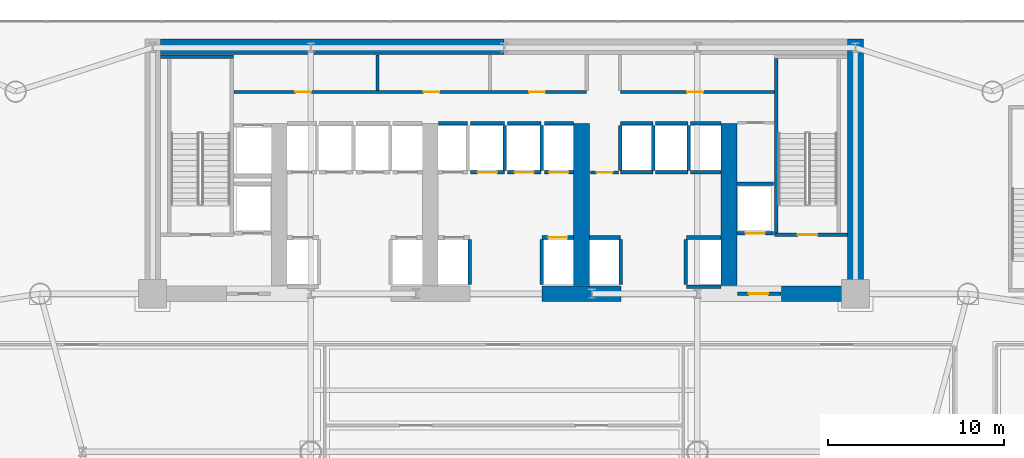
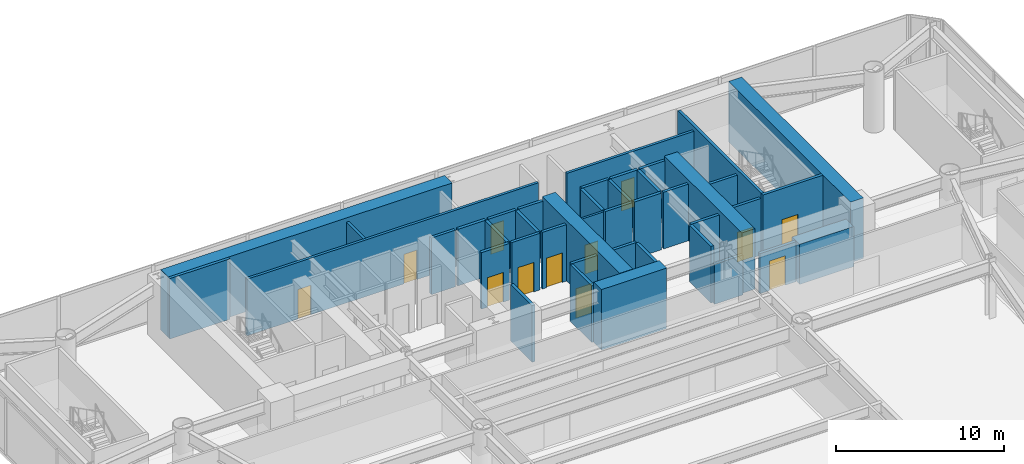
# One storey, part 15 of 24: 42 walls, 12 doors, 12 openings.
"""IFC4 building model written with IfcOpenShell, lengths in metres."""

from ifc_helpers import new_model, si_unit, direction, frame, frame_2d, origin, place, context, subcontext, project, spatial, rectangle, extrude, source, transform, mapped, material, layer, layer_set, type_object, element, fill, save


model = new_model("IFC4")

# Units and contexts
model_context = context("Model", 3, precision=1e-05, world=origin(), true_north=direction((0.0, 1.0)))
body_context = subcontext(model_context, "Body", "Model", "MODEL_VIEW")
ifc_project = project(units=[si_unit("LENGTHUNIT", "METRE"), si_unit("AREAUNIT", "SQUARE_METRE"), si_unit("VOLUMEUNIT", "CUBIC_METRE"), si_unit("PLANEANGLEUNIT", "RADIAN"), si_unit("MASSUNIT", "GRAM", prefix="KILO")], contexts=[model_context])

# Site, building, storey
site_placement = place(None, origin())
site = spatial("IfcSite", under=ifc_project, at=site_placement, CompositionType="ELEMENT")
building_placement = place(site_placement, origin())
building = spatial("IfcBuilding", under=site, at=building_placement, Name="Vaeldorn Concourse Tower", CompositionType="ELEMENT")
storey_placement = place(building_placement, frame((0.0, 0.0, 10.0)))
storey = spatial("IfcBuildingStorey", under=building, at=storey_placement, Name="L02", CompositionType="ELEMENT", Elevation=10.0)

# Walls
ifc_material_1 = material(Name="Concrete C60/75", Category="concrete")
ifc_layer_1 = layer(ifc_material_1, 0.89990234375)
ifc_layer_set_1 = layer_set([ifc_layer_1], Name="Concrete C60/75")
wall_type_1 = type_object("IfcWallType", Name="WL-CORE-900", PredefinedType="SHEAR", material=ifc_layer_set_1)
wall_1_placement = place(storey_placement, frame((14.4541015625, 50.550048828125, 0.0), z_axis=(0.0, 0.0, 1.0), x_axis=(1.0, 0.0, 0.0)))
element("IfcWall", 1, at=wall_1_placement, inside=storey, type_object=wall_type_1, Name="Rear Core Shear Wall L02 N1", PredefinedType="SHEAR", context=body_context, shape_type="SweptSolid", body=[
    extrude(rectangle(XDim=19.5439453125, YDim=0.89990234375, at=frame_2d((9.77197265625, 0.0))), origin(), (0.0, 0.0, 1.0), 4.39990234375),
])
wall_2_placement = place(storey_placement, frame((54.0, 36.5, 0.0), z_axis=(0.0, 0.0, 1.0), x_axis=(0.0, 1.0, 0.0)))
element("IfcWall", 2, at=wall_2_placement, inside=storey, type_object=wall_type_1, Name="Rear Core Shear Wall L02 E1", PredefinedType="SHEAR", context=body_context, shape_type="SweptSolid", body=[
    extrude(rectangle(XDim=14.5, YDim=0.89990234375, at=frame_2d((7.25, 0.0))), origin(), (0.0, 0.0, 1.0), 4.39990234375),
])
wall_3_placement = place(storey_placement, frame((36.14990234375, 36.5, 0.0), z_axis=(0.0, 0.0, 1.0), x_axis=(1.0, 0.0, 0.0)))
element("IfcWall", 3, at=wall_3_placement, inside=storey, type_object=wall_type_1, Name="Rear Core Shear Wall L02 S3", PredefinedType="SHEAR", context=body_context, shape_type="SweptSolid", body=[
    extrude(rectangle(XDim=4.5, YDim=0.89990234375, at=frame_2d((2.25, 0.0))), origin(), (0.0, 0.0, 1.0), 4.39990234375),
])
wall_4_placement = place(storey_placement, frame((49.800048828125, 36.5, 0.0), z_axis=(0.0, 0.0, 1.0), x_axis=(1.0, 0.0, 0.0)))
element("IfcWall", 4, at=wall_4_placement, inside=storey, type_object=wall_type_1, Name="Rear Core Shear Wall L02 S4", PredefinedType="SHEAR", context=body_context, shape_type="SweptSolid", body=[
    extrude(rectangle(XDim=3.72998046875, YDim=0.89990234375, at=frame_2d((1.864990234375, 0.0))), origin(), (0.0, 0.0, 1.0), 2.919921875),
])
for number, where, z_axis, x_axis, name in (
    (5, (38.39990234375, 36.969970703125, 0.0), (0.0, 0.0, 1.0), (0.0, 1.0, 0.0), "Rear Core Shear Wall L02 M3"),
    (6, (46.800048828125, 36.969970703125, 0.0), (0.0, 0.0, 1.0), (0.0, 1.0, 0.0), "Rear Core Shear Wall L02 M4"),
):
    element("IfcWall", number, at=place(storey_placement, frame(where, z_axis=z_axis, x_axis=x_axis)), inside=storey, type_object=wall_type_1, Name=name, PredefinedType="SHEAR", context=body_context, shape_type="SweptSolid", body=[
        extrude(rectangle(XDim=9.22998046875, YDim=0.89990234375, at=frame_2d((4.614990234375, 0.0))), origin(), (0.0, 0.0, 1.0), 4.39990234375),
    ])

# Wall, opening, door
ifc_material_2 = material(Name="Gypsum Board Partition", Category="gypsum")
ifc_layer_2 = layer(ifc_material_2, 0.14990234375)
ifc_layer_set_2 = layer_set([ifc_layer_2], Name="Gypsum Board Partition")
wall_type_2 = type_object("IfcWallType", Name="WL-PART-150", PredefinedType="PARTITIONING", material=ifc_layer_set_2)
wall_5_placement = place(storey_placement, frame((38.919921875, 43.39990234375, 0.0), z_axis=(0.0, 0.0, 1.0), x_axis=(1.0, 0.0, 0.0)))
wall_5 = element("IfcWall", 7, at=wall_5_placement, inside=storey, type_object=wall_type_2, Name="Interior Wall CW-L02-CCLINK", PredefinedType="PARTITIONING", context=body_context, shape_type="SweptSolid", body=[
    extrude(rectangle(XDim=1.60009765625, YDim=0.14990234375, at=frame_2d((0.800048828125, 0.0))), origin(), (0.0, 0.0, 1.0), 4.1201171875),
])
opening_1_placement = place(wall_5_placement, frame((0.35009765625, 0.0, 0.0)))
opening_1 = element("IfcOpeningElement", 8, at=opening_1_placement, cuts=wall_5, Name="Opening D-02", PredefinedType="OPENING", context=body_context, shape_type="SweptSolid", body=[
    extrude(rectangle(XDim=0.89990234375, YDim=2.10009765625, at=frame_2d((0.449951171875, 1.050048828125))), frame((0.0, 0.0849609375, 0.0), z_axis=(0.0, -1.0, 0.0), x_axis=(1.0, 0.0, 0.0)), (0.0, 0.0, 1.0), 0.169921875),
])
ifc_material_3 = material(Name="Fire-Rated Timber Leaf", Category="wood")
door_type_1 = type_object("IfcDoorType", Name="DR-FD30-900", OperationType="NOTDEFINED", PredefinedType="DOOR", material=ifc_material_3)
shared_shape_1 = source(origin(), body_context, "Body", "SweptSolid", [
    extrude(rectangle(XDim=0.89990234375, YDim=2.10009765625, at=frame_2d((0.449951171875, 1.050048828125))), frame((0.0, 0.02490234375, 0.0), z_axis=(0.0, -1.0, 0.0), x_axis=(1.0, 0.0, 0.0)), (0.0, 0.0, 1.0), 0.050048828125),
])
door_1_placement = place(opening_1_placement, origin())
door_1 = element("IfcDoor", 9, at=door_1_placement, inside=storey, type_object=door_type_1, Name="Interior Door DR-L02-CCLINK", OperationType="SINGLE_SWING_LEFT", OverallHeight=2.10009765625, OverallWidth=0.89990234375, PredefinedType="DOOR", context=body_context, shape_type="MappedRepresentation", body=[
    mapped(shared_shape_1, transform((0.0, 0.0, 0.0), scale=1.0)),
])
fill(opening_1, door_1)

# Wall, openings, doors
ifc_layer_3 = layer(ifc_material_2, 0.179931640625)
ifc_layer_set_3 = layer_set([ifc_layer_3], Name="Gypsum Board Partition")
wall_type_3 = type_object("IfcWallType", Name="WL-PLUMB-180", PredefinedType="PLUMBINGWALL", material=ifc_layer_set_3)
wall_6_placement = place(storey_placement, frame((18.6201171875, 47.97998046875, 0.0), z_axis=(0.0, 0.0, 1.0), x_axis=(1.0, 0.0, 0.0)))
wall_6 = element("IfcWall", 10, at=wall_6_placement, inside=storey, type_object=wall_type_3, Name="Interior Wall CW-L02-NS1W", PredefinedType="PLUMBINGWALL", context=body_context, shape_type="SweptSolid", body=[
    extrude(rectangle(XDim=20.059814453125, YDim=0.179931640625, at=frame_2d((10.02978515625, 0.0))), origin(), (0.0, 0.0, 1.0), 4.1201171875),
])
opening_2_placement = place(wall_6_placement, frame((3.5, 0.0, 0.0)))
opening_2 = element("IfcOpeningElement", 11, at=opening_2_placement, cuts=wall_6, Name="Opening D-03", PredefinedType="OPENING", context=body_context, shape_type="SweptSolid", body=[
    extrude(rectangle(XDim=0.89990234375, YDim=2.14990234375, at=frame_2d((0.449951171875, 1.074951171875))), frame((0.0, 0.10009765625, 0.0), z_axis=(0.0, -1.0, 0.0), x_axis=(1.0, 0.0, 0.0)), (0.0, 0.0, 1.0), 0.199951171875),
])
opening_3_placement = place(wall_6_placement, frame((10.800048828125, 0.0, 0.0)))
opening_3 = element("IfcOpeningElement", 12, at=opening_3_placement, cuts=wall_6, Name="Opening D-03", PredefinedType="OPENING", context=body_context, shape_type="SweptSolid", body=[
    extrude(rectangle(XDim=0.89990234375, YDim=2.14990234375, at=frame_2d((0.449951171875, 1.074951171875))), frame((0.0, 0.10009765625, 0.0), z_axis=(0.0, -1.0, 0.0), x_axis=(1.0, 0.0, 0.0)), (0.0, 0.0, 1.0), 0.199951171875),
])
opening_4_placement = place(wall_6_placement, frame((16.800048828125, 0.0, 0.0)))
opening_4 = element("IfcOpeningElement", 13, at=opening_4_placement, cuts=wall_6, Name="Opening D-03", PredefinedType="OPENING", context=body_context, shape_type="SweptSolid", body=[
    extrude(rectangle(XDim=0.89990234375, YDim=2.14990234375, at=frame_2d((0.449951171875, 1.074951171875))), frame((0.0, 0.10009765625, 0.0), z_axis=(0.0, -1.0, 0.0), x_axis=(1.0, 0.0, 0.0)), (0.0, 0.0, 1.0), 0.199951171875),
])
ifc_material_4 = material(Name="Acoustic Bronze-Framed Glass Door", Category="glass")
door_type_2 = type_object("IfcDoorType", Name="DR-INT-900", OperationType="NOTDEFINED", PredefinedType="DOOR", material=ifc_material_4)
shared_shape_2 = source(origin(), body_context, "Body", "SweptSolid", [
    extrude(rectangle(XDim=0.89990234375, YDim=2.14990234375, at=frame_2d((0.449951171875, 1.074951171875))), frame((0.0, 0.02490234375, 0.0), z_axis=(0.0, -1.0, 0.0), x_axis=(1.0, 0.0, 0.0)), (0.0, 0.0, 1.0), 0.050048828125),
])
door_2_placement = place(opening_2_placement, origin())
door_2 = element("IfcDoor", 14, at=door_2_placement, inside=storey, type_object=door_type_2, Name="Interior Door DR-L02-CS1", OperationType="SINGLE_SWING_LEFT", OverallHeight=2.14990234375, OverallWidth=0.89990234375, PredefinedType="DOOR", context=body_context, shape_type="MappedRepresentation", body=[
    mapped(shared_shape_2, transform((0.0, 0.0, 0.0), scale=1.0)),
])
fill(opening_2, door_2)
door_3_placement = place(opening_3_placement, origin())
door_3 = element("IfcDoor", 15, at=door_3_placement, inside=storey, type_object=door_type_2, Name="Interior Door DR-L02-CS2", OperationType="SINGLE_SWING_RIGHT", OverallHeight=2.14990234375, OverallWidth=0.89990234375, PredefinedType="DOOR", context=body_context, shape_type="MappedRepresentation", body=[
    mapped(shared_shape_2, transform((0.0, 0.0, 0.0), scale=1.0)),
])
fill(opening_3, door_3)
door_4_placement = place(opening_4_placement, origin())
door_4 = element("IfcDoor", 16, at=door_4_placement, inside=storey, type_object=door_type_2, Name="Interior Door DR-L02-CS3", OperationType="SINGLE_SWING_LEFT", OverallHeight=2.14990234375, OverallWidth=0.89990234375, PredefinedType="DOOR", context=body_context, shape_type="MappedRepresentation", body=[
    mapped(shared_shape_2, transform((0.0, 0.0, 0.0), scale=1.0)),
])
fill(opening_4, door_4)

# Wall, opening, door
wall_7_placement = place(storey_placement, frame((40.6201171875, 47.97998046875, 0.0), z_axis=(0.0, 0.0, 1.0), x_axis=(1.0, 0.0, 0.0)))
wall_7 = element("IfcWall", 17, at=wall_7_placement, inside=storey, type_object=wall_type_3, Name="Interior Wall CW-L02-NS1E", PredefinedType="PLUMBINGWALL", context=body_context, shape_type="SweptSolid", body=[
    extrude(rectangle(XDim=8.759765625, YDim=0.179931640625, at=frame_2d((4.3798828125, 0.0))), origin(), (0.0, 0.0, 1.0), 4.1201171875),
])
opening_5_placement = place(wall_7_placement, frame((3.800048828125, 0.0, 0.0)))
opening_5 = element("IfcOpeningElement", 18, at=opening_5_placement, cuts=wall_7, Name="Opening D-03", PredefinedType="OPENING", context=body_context, shape_type="SweptSolid", body=[
    extrude(rectangle(XDim=0.89990234375, YDim=2.14990234375, at=frame_2d((0.449951171875, 1.074951171875))), frame((0.0, 0.10009765625, 0.0), z_axis=(0.0, -1.0, 0.0), x_axis=(1.0, 0.0, 0.0)), (0.0, 0.0, 1.0), 0.199951171875),
])
door_5_placement = place(opening_5_placement, origin())
door_5 = element("IfcDoor", 19, at=door_5_placement, inside=storey, type_object=door_type_2, Name="Interior Door DR-L02-CS4", OperationType="SINGLE_SWING_RIGHT", OverallHeight=2.14990234375, OverallWidth=0.89990234375, PredefinedType="DOOR", context=body_context, shape_type="MappedRepresentation", body=[
    mapped(shared_shape_2, transform((0.0, 0.0, 0.0), scale=1.0)),
])
fill(opening_5, door_5)

# Walls
wall_8_placement = place(storey_placement, frame((26.800048828125, 48.06005859375, 0.0), z_axis=(0.0, 0.0, 1.0), x_axis=(0.0, 1.0, 0.0)))
element("IfcWall", 20, at=wall_8_placement, inside=storey, type_object=wall_type_3, Name="Interior Wall CW-L02-NDIV1", PredefinedType="PLUMBINGWALL", context=body_context, shape_type="SweptSolid", body=[
    extrude(rectangle(XDim=2.02001953125, YDim=0.179931640625, at=frame_2d((1.010009765625, 0.0))), origin(), (0.0, 0.0, 1.0), 4.1201171875),
])
ifc_material_5 = material(Name="Concrete C50/60", Category="concrete")
ifc_layer_4 = layer(ifc_material_5, 0.199951171875)
ifc_layer_set_4 = layer_set([ifc_layer_4], Name="Concrete C50/60")
wall_type_4 = type_object("IfcWallType", Name="WL-SHAFT-200", PredefinedType="SOLIDWALL", material=ifc_layer_set_4)
wall_9_placement = place(storey_placement, frame((14.449951171875, 50.0, 0.0), z_axis=(0.0, 0.0, 1.0), x_axis=(1.0, 0.0, 0.0)))
element("IfcWall", 21, at=wall_9_placement, inside=storey, type_object=wall_type_4, Name="Stair Shaft Wall CW-L02-ST-1-N", PredefinedType="SOLIDWALL", context=body_context, shape_type="SweptSolid", body=[
    extrude(rectangle(XDim=4.150146484375, YDim=0.199951171875, at=frame_2d((2.0751953125, 0.0))), origin(), (0.0, 0.0, 1.0), 4.39990234375),
])

# Wall, opening, door
wall_10_placement = place(storey_placement, frame((49.39990234375, 39.85009765625, 0.0), z_axis=(0.0, 0.0, 1.0), x_axis=(1.0, 0.0, 0.0)))
wall_10 = element("IfcWall", 22, at=wall_10_placement, inside=storey, type_object=wall_type_4, Name="Stair Shaft Wall CW-L02-ST-2-S", PredefinedType="SOLIDWALL", context=body_context, shape_type="SweptSolid", body=[
    extrude(rectangle(XDim=4.150146484375, YDim=0.199951171875, at=frame_2d((2.0751953125, 0.0))), origin(), (0.0, 0.0, 1.0), 4.39990234375),
])
opening_6_placement = place(wall_10_placement, frame((1.324951171875, 0.0, 0.0)))
opening_6 = element("IfcOpeningElement", 23, at=opening_6_placement, cuts=wall_10, Name="Opening D-01", PredefinedType="OPENING", context=body_context, shape_type="SweptSolid", body=[
    extrude(rectangle(XDim=1.10009765625, YDim=2.14990234375, at=frame_2d((0.550048828125, 1.074951171875))), frame((0.0, 0.10986328125, 0.0), z_axis=(0.0, -1.0, 0.0), x_axis=(1.0, 0.0, 0.0)), (0.0, 0.0, 1.0), 0.219970703125),
])
ifc_material_6 = material(Name="Fire-Rated Timber and Steel Leaf", Category="steel")
door_type_3 = type_object("IfcDoorType", Name="DR-FD60-1100", OperationType="NOTDEFINED", PredefinedType="DOOR", material=ifc_material_6)
shared_shape_3 = source(origin(), body_context, "Body", "SweptSolid", [
    extrude(rectangle(XDim=1.10009765625, YDim=2.14990234375, at=frame_2d((0.550048828125, 1.074951171875))), frame((0.0, 0.02490234375, 0.0), z_axis=(0.0, -1.0, 0.0), x_axis=(1.0, 0.0, 0.0)), (0.0, 0.0, 1.0), 0.050048828125),
])
door_6_placement = place(opening_6_placement, origin())
door_6 = element("IfcDoor", 24, at=door_6_placement, inside=storey, type_object=door_type_3, Name="Interior Door DR-L02-ST-2", OperationType="SINGLE_SWING_RIGHT", OverallHeight=2.14990234375, OverallWidth=1.10009765625, PredefinedType="DOOR", context=body_context, shape_type="MappedRepresentation", body=[
    mapped(shared_shape_3, transform((0.0, 0.0, 0.0), scale=1.0)),
])
fill(opening_6, door_6)

# Wall
wall_11_placement = place(storey_placement, frame((49.5, 39.9599609375, 0.0), z_axis=(0.0, 0.0, 1.0), x_axis=(0.0, 1.0, 0.0)))
element("IfcWall", 25, at=wall_11_placement, inside=storey, type_object=wall_type_4, Name="Stair Shaft Wall CW-L02-ST-2-W", PredefinedType="SOLIDWALL", context=body_context, shape_type="SweptSolid", body=[
    extrude(rectangle(XDim=9.929931640625, YDim=0.199951171875, at=frame_2d((4.96484375, 0.0))), origin(), (0.0, 0.0, 1.0), 4.39990234375),
])

# Wall, opening, door
wall_12_placement = place(storey_placement, frame((47.280029296875, 36.5, 0.0), z_axis=(0.0, 0.0, 1.0), x_axis=(1.0, 0.0, 0.0)))
wall_12 = element("IfcWall", 26, at=wall_12_placement, inside=storey, type_object=wall_type_4, Name="Interior Wall CW-L02-FF2S", PredefinedType="SOLIDWALL", context=body_context, shape_type="SweptSolid", body=[
    extrude(rectangle(XDim=2.469970703125, YDim=0.199951171875, at=frame_2d((1.23486328125, 0.0))), origin(), (0.0, 0.0, 1.0), 2.909912109375),
])
opening_7_placement = place(wall_12_placement, frame((0.64990234375, 0.0, 0.0)))
opening_7 = element("IfcOpeningElement", 27, at=opening_7_placement, cuts=wall_12, Name="Opening D-01", PredefinedType="OPENING", context=body_context, shape_type="SweptSolid", body=[
    extrude(rectangle(XDim=1.10009765625, YDim=2.14990234375, at=frame_2d((0.550048828125, 1.074951171875))), frame((0.0, 0.10986328125, 0.0), z_axis=(0.0, -1.0, 0.0), x_axis=(1.0, 0.0, 0.0)), (0.0, 0.0, 1.0), 0.219970703125),
])
door_7_placement = place(opening_7_placement, origin())
door_7 = element("IfcDoor", 28, at=door_7_placement, inside=storey, type_object=door_type_3, Name="Interior Door DR-L02-FF2W", OperationType="SINGLE_SWING_LEFT", OverallHeight=2.14990234375, OverallWidth=1.10009765625, PredefinedType="DOOR", context=body_context, shape_type="MappedRepresentation", body=[
    mapped(shared_shape_3, transform((0.0, 0.0, 0.0), scale=1.0)),
])
fill(opening_7, door_7)

# Wall
wall_13_placement = place(storey_placement, frame((32.050048828125, 37.02001953125, 0.0), z_axis=(0.0, 0.0, 1.0), x_axis=(0.0, 1.0, 0.0)))
element("IfcWall", 29, at=wall_13_placement, inside=storey, type_object=wall_type_4, Name="Interior Wall CW-L02-LFE-LF-07", PredefinedType="SOLIDWALL", context=body_context, shape_type="SweptSolid", body=[
    extrude(rectangle(XDim=2.56005859375, YDim=0.199951171875, at=frame_2d((1.280029296875, 0.0))), origin(), (0.0, 0.0, 1.0), 4.1201171875),
])

# Wall, opening, door
wall_14_placement = place(storey_placement, frame((36.169921875, 39.699951171875, 0.0), z_axis=(0.0, 0.0, 1.0), x_axis=(1.0, 0.0, 0.0)))
wall_14 = element("IfcWall", 30, at=wall_14_placement, inside=storey, type_object=wall_type_4, Name="Interior Wall CW-L02-LF-LF-08", PredefinedType="SOLIDWALL", context=body_context, shape_type="SweptSolid", body=[
    extrude(rectangle(XDim=1.77001953125, YDim=0.199951171875, at=frame_2d((0.885009765625, 0.0))), origin(), (0.0, 0.0, 1.0), 4.1201171875),
])
opening_8_placement = place(wall_14_placement, frame((0.3349609375, 0.0, 0.0)))
opening_8 = element("IfcOpeningElement", 31, at=opening_8_placement, cuts=wall_14, Name="Opening LD-1", PredefinedType="OPENING", context=body_context, shape_type="SweptSolid", body=[
    extrude(rectangle(XDim=1.10009765625, YDim=2.14990234375, at=frame_2d((0.550048828125, 1.074951171875))), frame((0.0, 0.10986328125, 0.0), z_axis=(0.0, -1.0, 0.0), x_axis=(1.0, 0.0, 0.0)), (0.0, 0.0, 1.0), 0.219970703125),
])
ifc_material_7 = material(Name="Anodised Bronze Aluminium", Category="aluminium")
door_type_4 = type_object("IfcDoorType", Name="DR-LIFT-SLIDE-1100", OperationType="DOUBLE_DOOR_SLIDING", PredefinedType="DOOR", material=ifc_material_7)
door_8_placement = place(opening_8_placement, origin())
door_8 = element("IfcDoor", 32, at=door_8_placement, inside=storey, type_object=door_type_4, Name="Lift Landing Door LD-L02-LF-08", OperationType="DOUBLE_DOOR_SLIDING", OverallHeight=2.14990234375, OverallWidth=1.10009765625, PredefinedType="DOOR", context=body_context, shape_type="MappedRepresentation", body=[
    mapped(shared_shape_3, transform((0.0, 0.0, 0.0), scale=1.0)),
])
fill(opening_8, door_8)

# Walls
wall_15_placement = place(storey_placement, frame((36.14990234375, 37.02001953125, 0.0), z_axis=(0.0, 0.0, 1.0), x_axis=(0.0, 1.0, 0.0)))
element("IfcWall", 33, at=wall_15_placement, inside=storey, type_object=wall_type_4, Name="Interior Wall CW-L02-LFW-LF-08", PredefinedType="SOLIDWALL", context=body_context, shape_type="SweptSolid", body=[
    extrude(rectangle(XDim=2.56005859375, YDim=0.199951171875, at=frame_2d((1.280029296875, 0.0))), origin(), (0.0, 0.0, 1.0), 4.1201171875),
])
wall_16_placement = place(storey_placement, frame((30.260009765625, 46.199951171875, 0.0), z_axis=(0.0, 0.0, 1.0), x_axis=(1.0, 0.0, 0.0)))
element("IfcWall", 34, at=wall_16_placement, inside=storey, type_object=wall_type_4, Name="Interior Wall CW-L02-LFB-LF-09", PredefinedType="SOLIDWALL", context=body_context, shape_type="SweptSolid", body=[
    extrude(rectangle(XDim=1.64990234375, YDim=0.199951171875, at=frame_2d((0.824951171875, 0.0))), origin(), (0.0, 0.0, 1.0), 4.1201171875),
])

# Wall, opening, door
wall_17_placement = place(storey_placement, frame((32.090087890625, 43.39990234375, 0.0), z_axis=(0.0, 0.0, 1.0), x_axis=(1.0, 0.0, 0.0)))
wall_17 = element("IfcWall", 35, at=wall_17_placement, inside=storey, type_object=wall_type_4, Name="Interior Wall CW-L02-LF-LF-10", PredefinedType="SOLIDWALL", context=body_context, shape_type="SweptSolid", body=[
    extrude(rectangle(XDim=1.919921875, YDim=0.199951171875, at=frame_2d((0.9599609375, 0.0))), origin(), (0.0, 0.0, 1.0), 4.1201171875),
])
opening_9_placement = place(wall_17_placement, frame((0.409912109375, 0.0, 0.0)))
opening_9 = element("IfcOpeningElement", 36, at=opening_9_placement, cuts=wall_17, Name="Opening LD-1", PredefinedType="OPENING", context=body_context, shape_type="SweptSolid", body=[
    extrude(rectangle(XDim=1.10009765625, YDim=2.14990234375, at=frame_2d((0.550048828125, 1.074951171875))), frame((0.0, 0.10986328125, 0.0), z_axis=(0.0, -1.0, 0.0), x_axis=(1.0, 0.0, 0.0)), (0.0, 0.0, 1.0), 0.219970703125),
])
door_9_placement = place(opening_9_placement, origin())
door_9 = element("IfcDoor", 37, at=door_9_placement, inside=storey, type_object=door_type_4, Name="Lift Landing Door LD-L02-LF-10", OperationType="DOUBLE_DOOR_SLIDING", OverallHeight=2.14990234375, OverallWidth=1.10009765625, PredefinedType="DOOR", context=body_context, shape_type="MappedRepresentation", body=[
    mapped(shared_shape_3, transform((0.0, 0.0, 0.0), scale=1.0)),
])
fill(opening_9, door_9)

# Walls
wall_18_placement = place(storey_placement, frame((32.090087890625, 46.199951171875, 0.0), z_axis=(0.0, 0.0, 1.0), x_axis=(1.0, 0.0, 0.0)))
element("IfcWall", 38, at=wall_18_placement, inside=storey, type_object=wall_type_4, Name="Interior Wall CW-L02-LFB-LF-10", PredefinedType="SOLIDWALL", context=body_context, shape_type="SweptSolid", body=[
    extrude(rectangle(XDim=1.919921875, YDim=0.199951171875, at=frame_2d((0.9599609375, 0.0))), origin(), (0.0, 0.0, 1.0), 4.1201171875),
])
wall_19_placement = place(storey_placement, frame((34.030029296875, 43.52001953125, 0.0), z_axis=(0.0, 0.0, 1.0), x_axis=(0.0, 1.0, 0.0)))
element("IfcWall", 39, at=wall_19_placement, inside=storey, type_object=wall_type_4, Name="Interior Wall CW-L02-LFE-LF-10", PredefinedType="SOLIDWALL", context=body_context, shape_type="SweptSolid", body=[
    extrude(rectangle(XDim=2.56005859375, YDim=0.199951171875, at=frame_2d((1.280029296875, 0.0))), origin(), (0.0, 0.0, 1.0), 4.1201171875),
])

# Wall, opening, door
wall_20_placement = place(storey_placement, frame((34.18994140625, 43.39990234375, 0.0), z_axis=(0.0, 0.0, 1.0), x_axis=(1.0, 0.0, 0.0)))
wall_20 = element("IfcWall", 40, at=wall_20_placement, inside=storey, type_object=wall_type_4, Name="Interior Wall CW-L02-LF-LF-11", PredefinedType="SOLIDWALL", context=body_context, shape_type="SweptSolid", body=[
    extrude(rectangle(XDim=1.920166015625, YDim=0.199951171875, at=frame_2d((0.9599609375, 0.0))), origin(), (0.0, 0.0, 1.0), 4.1201171875),
])
opening_10_placement = place(wall_20_placement, frame((0.409912109375, 0.0, 0.0)))
opening_10 = element("IfcOpeningElement", 41, at=opening_10_placement, cuts=wall_20, Name="Opening LD-1", PredefinedType="OPENING", context=body_context, shape_type="SweptSolid", body=[
    extrude(rectangle(XDim=1.10009765625, YDim=2.14990234375, at=frame_2d((0.550048828125, 1.074951171875))), frame((0.0, 0.10986328125, 0.0), z_axis=(0.0, -1.0, 0.0), x_axis=(1.0, 0.0, 0.0)), (0.0, 0.0, 1.0), 0.219970703125),
])
door_10_placement = place(opening_10_placement, origin())
door_10 = element("IfcDoor", 42, at=door_10_placement, inside=storey, type_object=door_type_4, Name="Lift Landing Door LD-L02-LF-11", OperationType="DOUBLE_DOOR_SLIDING", OverallHeight=2.14990234375, OverallWidth=1.10009765625, PredefinedType="DOOR", context=body_context, shape_type="MappedRepresentation", body=[
    mapped(shared_shape_3, transform((0.0, 0.0, 0.0), scale=1.0)),
])
fill(opening_10, door_10)

# Walls
wall_21_placement = place(storey_placement, frame((34.18994140625, 46.199951171875, 0.0), z_axis=(0.0, 0.0, 1.0), x_axis=(1.0, 0.0, 0.0)))
element("IfcWall", 43, at=wall_21_placement, inside=storey, type_object=wall_type_4, Name="Interior Wall CW-L02-LFB-LF-11", PredefinedType="SOLIDWALL", context=body_context, shape_type="SweptSolid", body=[
    extrude(rectangle(XDim=1.920166015625, YDim=0.199951171875, at=frame_2d((0.9599609375, 0.0))), origin(), (0.0, 0.0, 1.0), 4.1201171875),
])
wall_22_placement = place(storey_placement, frame((36.1298828125, 43.52001953125, 0.0), z_axis=(0.0, 0.0, 1.0), x_axis=(0.0, 1.0, 0.0)))
element("IfcWall", 44, at=wall_22_placement, inside=storey, type_object=wall_type_4, Name="Interior Wall CW-L02-LFE-LF-11", PredefinedType="SOLIDWALL", context=body_context, shape_type="SweptSolid", body=[
    extrude(rectangle(XDim=2.56005859375, YDim=0.199951171875, at=frame_2d((1.280029296875, 0.0))), origin(), (0.0, 0.0, 1.0), 4.1201171875),
])

# Wall, opening, door
wall_23_placement = place(storey_placement, frame((36.2900390625, 43.39990234375, 0.0), z_axis=(0.0, 0.0, 1.0), x_axis=(1.0, 0.0, 0.0)))
wall_23 = element("IfcWall", 45, at=wall_23_placement, inside=storey, type_object=wall_type_4, Name="Interior Wall CW-L02-LF-LF-12", PredefinedType="SOLIDWALL", context=body_context, shape_type="SweptSolid", body=[
    extrude(rectangle(XDim=1.64990234375, YDim=0.199951171875, at=frame_2d((0.824951171875, 0.0))), origin(), (0.0, 0.0, 1.0), 4.1201171875),
])
opening_11_placement = place(wall_23_placement, frame((0.27490234375, 0.0, 0.0)))
opening_11 = element("IfcOpeningElement", 46, at=opening_11_placement, cuts=wall_23, Name="Opening LD-1", PredefinedType="OPENING", context=body_context, shape_type="SweptSolid", body=[
    extrude(rectangle(XDim=1.10009765625, YDim=2.14990234375, at=frame_2d((0.550048828125, 1.074951171875))), frame((0.0, 0.10986328125, 0.0), z_axis=(0.0, -1.0, 0.0), x_axis=(1.0, 0.0, 0.0)), (0.0, 0.0, 1.0), 0.219970703125),
])
door_11_placement = place(opening_11_placement, origin())
door_11 = element("IfcDoor", 47, at=door_11_placement, inside=storey, type_object=door_type_4, Name="Lift Landing Door LD-L02-LF-12", OperationType="DOUBLE_DOOR_SLIDING", OverallHeight=2.14990234375, OverallWidth=1.10009765625, PredefinedType="DOOR", context=body_context, shape_type="MappedRepresentation", body=[
    mapped(shared_shape_3, transform((0.0, 0.0, 0.0), scale=1.0)),
])
fill(opening_11, door_11)

# Walls
wall_24_placement = place(storey_placement, frame((36.2900390625, 46.199951171875, 0.0), z_axis=(0.0, 0.0, 1.0), x_axis=(1.0, 0.0, 0.0)))
element("IfcWall", 48, at=wall_24_placement, inside=storey, type_object=wall_type_4, Name="Interior Wall CW-L02-LFB-LF-12", PredefinedType="SOLIDWALL", context=body_context, shape_type="SweptSolid", body=[
    extrude(rectangle(XDim=1.64990234375, YDim=0.199951171875, at=frame_2d((0.824951171875, 0.0))), origin(), (0.0, 0.0, 1.0), 4.1201171875),
])
wall_25_placement = place(storey_placement, frame((38.860107421875, 39.699951171875, 0.0), z_axis=(0.0, 0.0, 1.0), x_axis=(1.0, 0.0, 0.0)))
element("IfcWall", 49, at=wall_25_placement, inside=storey, type_object=wall_type_4, Name="Interior Wall CW-L02-LF-LF-13", PredefinedType="SOLIDWALL", context=body_context, shape_type="SweptSolid", body=[
    extrude(rectangle(XDim=1.769775390625, YDim=0.199951171875, at=frame_2d((0.884765625, 0.0))), origin(), (0.0, 0.0, 1.0), 4.1201171875),
])
wall_26_placement = place(storey_placement, frame((40.64990234375, 37.02001953125, 0.0), z_axis=(0.0, 0.0, 1.0), x_axis=(0.0, 1.0, 0.0)))
element("IfcWall", 50, at=wall_26_placement, inside=storey, type_object=wall_type_4, Name="Interior Wall CW-L02-LFE-LF-13", PredefinedType="SOLIDWALL", context=body_context, shape_type="SweptSolid", body=[
    extrude(rectangle(XDim=2.56005859375, YDim=0.199951171875, at=frame_2d((1.280029296875, 0.0))), origin(), (0.0, 0.0, 1.0), 4.1201171875),
])
wall_27_placement = place(storey_placement, frame((44.3701171875, 39.699951171875, 0.0), z_axis=(0.0, 0.0, 1.0), x_axis=(1.0, 0.0, 0.0)))
element("IfcWall", 51, at=wall_27_placement, inside=storey, type_object=wall_type_4, Name="Interior Wall CW-L02-LF-LF-14", PredefinedType="SOLIDWALL", context=body_context, shape_type="SweptSolid", body=[
    extrude(rectangle(XDim=1.9599609375, YDim=0.199951171875, at=frame_2d((0.97998046875, 0.0))), origin(), (0.0, 0.0, 1.0), 4.1201171875),
])
wall_28_placement = place(storey_placement, frame((44.3701171875, 36.89990234375, 0.0), z_axis=(0.0, 0.0, 1.0), x_axis=(1.0, 0.0, 0.0)))
element("IfcWall", 52, at=wall_28_placement, inside=storey, type_object=wall_type_4, Name="Interior Wall CW-L02-LFB-LF-14", PredefinedType="SOLIDWALL", context=body_context, shape_type="SweptSolid", body=[
    extrude(rectangle(XDim=1.9599609375, YDim=0.199951171875, at=frame_2d((0.97998046875, 0.0))), origin(), (0.0, 0.0, 1.0), 2.909912109375),
])
wall_29_placement = place(storey_placement, frame((44.35009765625, 37.02001953125, 0.0), z_axis=(0.0, 0.0, 1.0), x_axis=(0.0, 1.0, 0.0)))
element("IfcWall", 53, at=wall_29_placement, inside=storey, type_object=wall_type_4, Name="Interior Wall CW-L02-LFW-LF-14", PredefinedType="SOLIDWALL", context=body_context, shape_type="SweptSolid", body=[
    extrude(rectangle(XDim=2.56005859375, YDim=0.199951171875, at=frame_2d((1.280029296875, 0.0))), origin(), (0.0, 0.0, 1.0), 4.1201171875),
])
for number, where, z_axis, x_axis, name in (
    (54, (40.6201171875, 43.39990234375, 0.0), (0.0, 0.0, 1.0), (1.0, 0.0, 0.0), "Interior Wall CW-L02-LF-LF-15"),
    (55, (40.6201171875, 46.199951171875, 0.0), (0.0, 0.0, 1.0), (1.0, 0.0, 0.0), "Interior Wall CW-L02-LFB-LF-15"),
):
    element("IfcWall", number, at=place(storey_placement, frame(where, z_axis=z_axis, x_axis=x_axis)), inside=storey, type_object=wall_type_4, Name=name, PredefinedType="SOLIDWALL", context=body_context, shape_type="SweptSolid", body=[
        extrude(rectangle(XDim=1.85986328125, YDim=0.199951171875, at=frame_2d((0.929931640625, 0.0))), origin(), (0.0, 0.0, 1.0), 4.1201171875),
    ])
for number, where, z_axis, x_axis, name in (
    (56, (40.60009765625, 43.52001953125, 0.0), (0.0, 0.0, 1.0), (0.0, 1.0, 0.0), "Interior Wall CW-L02-LFW-LF-15"),
    (57, (42.5, 43.52001953125, 0.0), (0.0, 0.0, 1.0), (0.0, 1.0, 0.0), "Interior Wall CW-L02-LFE-LF-15"),
):
    element("IfcWall", number, at=place(storey_placement, frame(where, z_axis=z_axis, x_axis=x_axis)), inside=storey, type_object=wall_type_4, Name=name, PredefinedType="SOLIDWALL", context=body_context, shape_type="SweptSolid", body=[
        extrude(rectangle(XDim=2.56005859375, YDim=0.199951171875, at=frame_2d((1.280029296875, 0.0))), origin(), (0.0, 0.0, 1.0), 4.1201171875),
    ])
for number, where, z_axis, x_axis, name in (
    (58, (42.6201171875, 43.39990234375, 0.0), (0.0, 0.0, 1.0), (1.0, 0.0, 0.0), "Interior Wall CW-L02-LF-LF-16"),
    (59, (42.6201171875, 46.199951171875, 0.0), (0.0, 0.0, 1.0), (1.0, 0.0, 0.0), "Interior Wall CW-L02-LFB-LF-16"),
):
    element("IfcWall", number, at=place(storey_placement, frame(where, z_axis=z_axis, x_axis=x_axis)), inside=storey, type_object=wall_type_4, Name=name, PredefinedType="SOLIDWALL", context=body_context, shape_type="SweptSolid", body=[
        extrude(rectangle(XDim=1.85986328125, YDim=0.199951171875, at=frame_2d((0.929931640625, 0.0))), origin(), (0.0, 0.0, 1.0), 4.1201171875),
    ])
wall_30_placement = place(storey_placement, frame((44.5, 43.52001953125, 0.0), z_axis=(0.0, 0.0, 1.0), x_axis=(0.0, 1.0, 0.0)))
element("IfcWall", 60, at=wall_30_placement, inside=storey, type_object=wall_type_4, Name="Interior Wall CW-L02-LFE-LF-16", PredefinedType="SOLIDWALL", context=body_context, shape_type="SweptSolid", body=[
    extrude(rectangle(XDim=2.56005859375, YDim=0.199951171875, at=frame_2d((1.280029296875, 0.0))), origin(), (0.0, 0.0, 1.0), 4.1201171875),
])
for number, where, z_axis, x_axis, name in (
    (61, (44.6201171875, 43.39990234375, 0.0), (0.0, 0.0, 1.0), (1.0, 0.0, 0.0), "Interior Wall CW-L02-LF-LF-17"),
    (62, (44.6201171875, 46.199951171875, 0.0), (0.0, 0.0, 1.0), (1.0, 0.0, 0.0), "Interior Wall CW-L02-LFB-LF-17"),
):
    element("IfcWall", number, at=place(storey_placement, frame(where, z_axis=z_axis, x_axis=x_axis)), inside=storey, type_object=wall_type_4, Name=name, PredefinedType="SOLIDWALL", context=body_context, shape_type="SweptSolid", body=[
        extrude(rectangle(XDim=1.719970703125, YDim=0.199951171875, at=frame_2d((0.85986328125, 0.0))), origin(), (0.0, 0.0, 1.0), 4.1201171875),
    ])

# Wall, opening, door
wall_31_placement = place(storey_placement, frame((47.260009765625, 39.949951171875, 0.0), z_axis=(0.0, 0.0, 1.0), x_axis=(1.0, 0.0, 0.0)))
wall_31 = element("IfcWall", 63, at=wall_31_placement, inside=storey, type_object=wall_type_4, Name="Interior Wall CW-L02-LF-LF-FF2", PredefinedType="SOLIDWALL", context=body_context, shape_type="SweptSolid", body=[
    extrude(rectangle(XDim=2.070068359375, YDim=0.199951171875, at=frame_2d((1.03515625, 0.0))), origin(), (0.0, 0.0, 1.0), 4.1201171875),
])
opening_12_placement = place(wall_31_placement, frame((0.485107421875, 0.0, 0.0)))
opening_12 = element("IfcOpeningElement", 64, at=opening_12_placement, cuts=wall_31, Name="Opening LD-1", PredefinedType="OPENING", context=body_context, shape_type="SweptSolid", body=[
    extrude(rectangle(XDim=1.10009765625, YDim=2.14990234375, at=frame_2d((0.550048828125, 1.074951171875))), frame((0.0, 0.10986328125, 0.0), z_axis=(0.0, -1.0, 0.0), x_axis=(1.0, 0.0, 0.0)), (0.0, 0.0, 1.0), 0.219970703125),
])
door_12_placement = place(opening_12_placement, origin())
door_12 = element("IfcDoor", 65, at=door_12_placement, inside=storey, type_object=door_type_4, Name="Lift Landing Door LD-L02-LF-FF2", OperationType="DOUBLE_DOOR_SLIDING", OverallHeight=2.14990234375, OverallWidth=1.10009765625, PredefinedType="DOOR", context=body_context, shape_type="MappedRepresentation", body=[
    mapped(shared_shape_3, transform((0.0, 0.0, 0.0), scale=1.0)),
])
fill(opening_12, door_12)

# Wall
wall_32_placement = place(storey_placement, frame((47.260009765625, 42.75, 0.0), z_axis=(0.0, 0.0, 1.0), x_axis=(1.0, 0.0, 0.0)))
element("IfcWall", 66, at=wall_32_placement, inside=storey, type_object=wall_type_4, Name="Interior Wall CW-L02-LFB-LF-FF2", PredefinedType="SOLIDWALL", context=body_context, shape_type="SweptSolid", body=[
    extrude(rectangle(XDim=2.070068359375, YDim=0.199951171875, at=frame_2d((1.03515625, 0.0))), origin(), (0.0, 0.0, 1.0), 4.1201171875),
])

save(model, "model.ifc")
